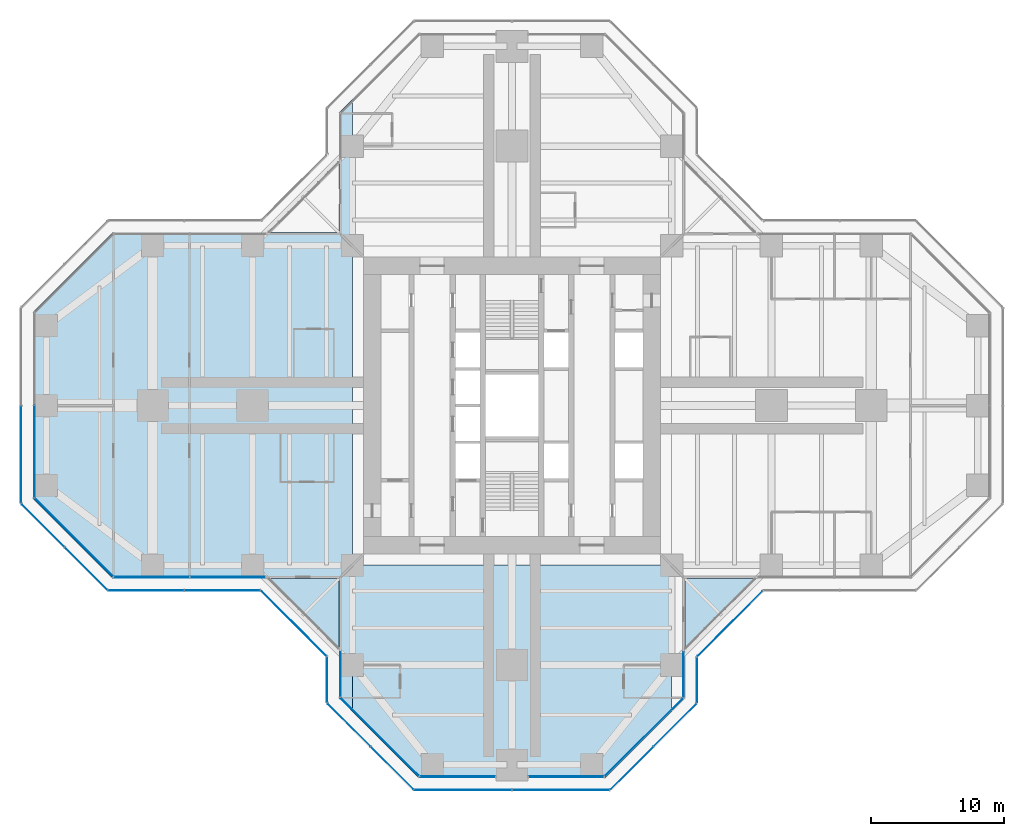
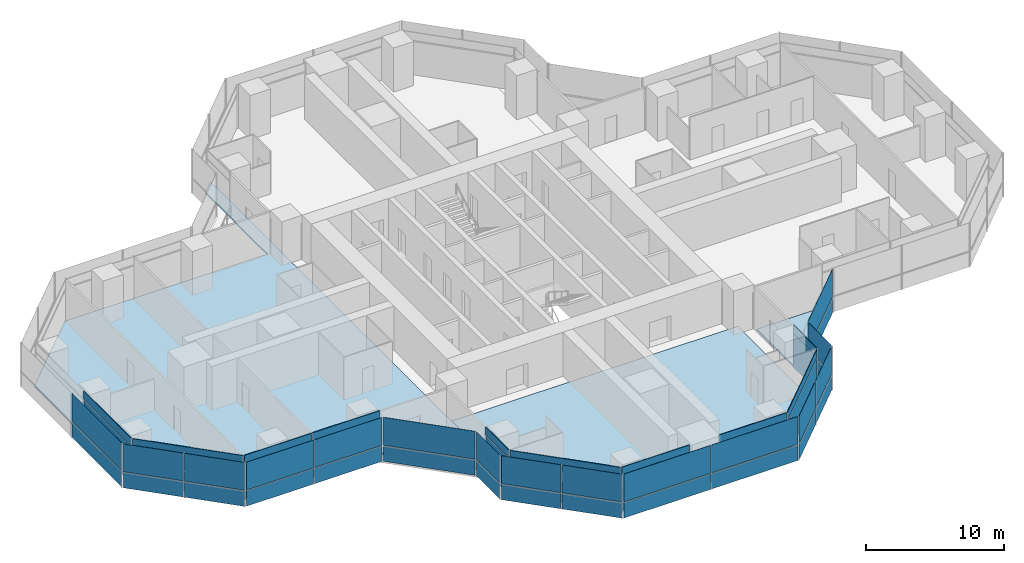
# One storey, part 12 of 20: 50 plates, 4 slabs, 19 elements without a shape of their own.
"""IFC4 building model written with IfcOpenShell, lengths in metres."""

import ifcopenshell
import ifcopenshell.guid

model = None  # the IFC model being written
_history = None  # IfcOwnerHistory: only IFC2X3 demands one
_inside = {}  # id of a spatial element -> (the spatial element, [elements in it])
_under = {}  # id of a project, library or spatial element -> (it, [spatial elements below it])
_declared = {}  # id of a project -> (the project, [libraries it declares])
_typed = {}  # id of a type object -> (the type object, [elements of that type])
_made_of = {}  # id of a material, layer set ... -> (it, [elements and type objects made of it])


def new_model(schema):
    """Start an empty IFC model of exactly this schema.

    Asked for "IFC4X3", IfcOpenShell would pick the latest addendum, in which some entities
    have other attributes; the version numbers below select the first issue.
    IFC2X3 requires an IfcOwnerHistory on every rooted entity: one is made here for all.
    """
    global model, _history
    if schema == "IFC4X3":
        model = ifcopenshell.file(schema_version=(4, 3, 0, 0))
    else:
        model = ifcopenshell.file(schema=schema)
    _inside.clear()
    _under.clear()
    _declared.clear()
    _typed.clear()
    _made_of.clear()
    _history = None
    if model.schema == "IFC2X3":
        org = make("IfcOrganization", Name="unknown")
        user = make(
            "IfcPersonAndOrganization",
            ThePerson=make("IfcPerson", FamilyName="unknown"),
            TheOrganization=org,
        )
        app = make(
            "IfcApplication",
            ApplicationDeveloper=org,
            Version="unknown",
            ApplicationFullName="unknown",
            ApplicationIdentifier="unknown",
        )
        _history = make(
            "IfcOwnerHistory",
            OwningUser=user,
            OwningApplication=app,
            ChangeAction="ADDED",
            CreationDate=0,
        )
    return model


def make(cls, **values):
    """One entity of the class cls with the attributes given. An attribute that is None is left unset."""
    return model.create_entity(
        cls, **{name: value for name, value in values.items() if value is not None}
    )


def rooted(cls, **values):
    """An entity with a GlobalId (a new one), such as an element, a storey or a relation."""
    return make(cls, GlobalId=ifcopenshell.guid.new(), OwnerHistory=_history, **values)


def si_unit(unit_type, name, prefix=None):
    """IfcSIUnit, for example si_unit("LENGTHUNIT", "METRE", prefix="MILLI")."""
    return make("IfcSIUnit", UnitType=unit_type, Prefix=prefix, Name=name)


def assignment(units):
    """IfcUnitAssignment: the units of a project."""
    return None if units is None else make("IfcUnitAssignment", Units=units)


def point(xyz):
    """IfcCartesianPoint."""
    return None if xyz is None else make("IfcCartesianPoint", Coordinates=xyz)


def direction(xyz):
    """IfcDirection."""
    return None if xyz is None else make("IfcDirection", DirectionRatios=xyz)


def frame(location, z_axis=None, x_axis=None):
    """IfcAxis2Placement3D, a coordinate frame: its origin and axes. An axis left out is left unset."""
    return make(
        "IfcAxis2Placement3D",
        Location=point(location),
        Axis=direction(z_axis),
        RefDirection=direction(x_axis),
    )


def frame_2d(location, x_axis=None):
    """IfcAxis2Placement2D, a coordinate frame in the plane: its origin and x axis."""
    return make(
        "IfcAxis2Placement2D", Location=point(location), RefDirection=direction(x_axis)
    )


def origin():
    """The frame at (0, 0, 0) with its axes left unset."""
    return frame((0.0, 0.0, 0.0))


def origin_2d():
    """The frame at (0, 0) in the plane with its x axis left unset."""
    return frame_2d((0.0, 0.0))


def place(relative_to, where):
    """IfcLocalPlacement: puts the frame where relative to a parent placement (None: the world)."""
    return make(
        "IfcLocalPlacement", PlacementRelTo=relative_to, RelativePlacement=where
    )


def context(
    kind, dimensions, precision=None, world=None, true_north=None, identifier=None
):
    """IfcGeometricRepresentationContext, for example the 3D "Model" context."""
    return make(
        "IfcGeometricRepresentationContext",
        ContextIdentifier=identifier,
        ContextType=kind,
        CoordinateSpaceDimension=dimensions,
        Precision=precision,
        WorldCoordinateSystem=world,
        TrueNorth=true_north,
    )


def subcontext(parent, identifier, kind, view, scale=None):
    """IfcGeometricRepresentationSubContext, for example "Body" below "Model"."""
    return make(
        "IfcGeometricRepresentationSubContext",
        ContextIdentifier=identifier,
        ContextType=kind,
        ParentContext=parent,
        TargetScale=scale,
        TargetView=view,
    )


def project(units=None, contexts=None):
    """IfcProject with its units and contexts."""
    return rooted(
        "IfcProject",
        Name="project",
        RepresentationContexts=contexts,
        UnitsInContext=assignment(units),
    )


def spatial(cls, under=None, at=None, **own):
    """A site, building, storey or space (cls), placed at a placement, below another one or the project."""
    s = rooted(cls, ObjectPlacement=at, **own)
    if under is not None:
        _under.setdefault(under.id(), (under, []))[1].append(s)
    return s


def polyline(points):
    """IfcPolyline through the points."""
    return make("IfcPolyline", Points=[point(p) for p in points])


def profile(cls, at=None, kind="AREA", **sizes):
    """A parametric profile (cls). Its sizes go by their IFC names, for example OverallWidth=200.0."""
    return make(cls, ProfileType=kind, Position=at, **sizes)


def rectangle(**sizes):
    """IfcRectangleProfileDef."""
    return profile("IfcRectangleProfileDef", **sizes)


def outline(outer, holes=None, kind="AREA"):
    """IfcArbitraryClosedProfileDef: a profile drawn as a closed curve; with holes, ...WithVoids."""
    if holes is None:
        return make("IfcArbitraryClosedProfileDef", ProfileType=kind, OuterCurve=outer)
    return make(
        "IfcArbitraryProfileDefWithVoids",
        ProfileType=kind,
        OuterCurve=outer,
        InnerCurves=holes,
    )


def extrude(swept, where, along, depth):
    """IfcExtrudedAreaSolid: the profile swept, set in the frame where, extruded along a direction by depth."""
    return make(
        "IfcExtrudedAreaSolid",
        SweptArea=swept,
        Position=where,
        ExtrudedDirection=direction(along),
        Depth=depth,
    )


def shape(context_of_items, identifier, shape_type, items):
    """IfcShapeRepresentation: the items that make up one representation, for example the "Body"."""
    return make(
        "IfcShapeRepresentation",
        ContextOfItems=context_of_items,
        RepresentationIdentifier=identifier,
        RepresentationType=shape_type,
        Items=items,
    )


def material(Name=None, Category=None):
    """IfcMaterial."""
    return make("IfcMaterial", Name=Name, Category=Category)


def layer(
    of_material, thickness, ventilated=None, Name=None, Category=None, Priority=None
):
    """IfcMaterialLayer: one layer of a wall or slab, of a material (None: an air gap)."""
    return make(
        "IfcMaterialLayer",
        Material=of_material,
        LayerThickness=thickness,
        IsVentilated=ventilated,
        Name=Name,
        Category=Category,
        Priority=Priority,
    )


def layer_set(layers, Name=None):
    """IfcMaterialLayerSet."""
    return make("IfcMaterialLayerSet", MaterialLayers=layers, LayerSetName=Name)


def made_of(thing, what):
    """Note that an element or type object is made of a material, layer set ...; save() writes the relation."""
    if what is not None:
        _made_of.setdefault(what.id(), (what, []))[1].append(thing)
    return thing


def type_object(cls, material=None, **own):
    """A type object (cls), such as IfcWallType, which elements share."""
    return made_of(rooted(cls, **own), material)


def element(
    cls,
    number,
    at=None,
    inside=None,
    cuts=None,
    type_object=None,
    material=None,
    context=None,
    identifier="Body",
    shape_type=None,
    held_by="IfcProductDefinitionShape",
    body=None,
    shapes=None,
    **own,
):
    """One element of the class cls, such as IfcWall. Its Tag is "e" and its number.

    at: its placement. inside: the storey or other place that contains it. cuts: it is an
    opening in that element (IfcRelVoidsElement). A single representation is given by context,
    identifier, shape_type and body (its items); several are given by shapes. held_by: the class
    of the entity that holds the representations. save() writes the other relations.
    """
    e = rooted(cls, Tag="e%d" % number, ObjectPlacement=at, **own)
    if body is not None:
        shapes = [shape(context, identifier, shape_type, body)]
    if shapes is not None:
        e.Representation = make(held_by, Representations=shapes)
    if inside is not None:
        _inside.setdefault(inside.id(), (inside, []))[1].append(e)
    if cuts is not None:
        rooted(
            "IfcRelVoidsElement", RelatingBuildingElement=cuts, RelatedOpeningElement=e
        )
    if type_object is not None:
        _typed.setdefault(type_object.id(), (type_object, []))[1].append(e)
    return made_of(e, material)


def aggregate(whole, parts):
    """IfcRelAggregates: a whole, such as a stair, and the parts it consists of."""
    return rooted("IfcRelAggregates", RelatingObject=whole, RelatedObjects=parts)


def save(model, path):
    """Write the relations noted so far, then the file.

    IfcRelAggregates (storeys below a building ...), IfcRelContainedInSpatialStructure (elements
    in a storey), IfcRelDefinesByType, IfcRelAssociatesMaterial and IfcRelDeclares: one each for
    every whole, place, type object, material and project.
    """
    for whole, parts in _under.values():
        aggregate(whole, parts)
    for where, things in _inside.values():
        rooted(
            "IfcRelContainedInSpatialStructure",
            RelatedElements=things,
            RelatingStructure=where,
        )
    for kind, things in _typed.values():
        rooted("IfcRelDefinesByType", RelatedObjects=things, RelatingType=kind)
    for what, things in _made_of.values():
        rooted("IfcRelAssociatesMaterial", RelatedObjects=things, RelatingMaterial=what)
    for by, libraries in _declared.values():
        rooted("IfcRelDeclares", RelatingContext=by, RelatedDefinitions=libraries)
    model.write(path)


model = new_model("IFC4")

# Units and contexts
model_context = context("Model", 3, precision=1e-05, world=origin(), true_north=direction((0.0, 1.0)))
body_context = subcontext(model_context, "Body", "Model", "MODEL_VIEW")
ifc_project = project(units=[si_unit("LENGTHUNIT", "METRE"), si_unit("AREAUNIT", "SQUARE_METRE"), si_unit("VOLUMEUNIT", "CUBIC_METRE"), si_unit("PLANEANGLEUNIT", "RADIAN"), si_unit("MASSUNIT", "GRAM", prefix="KILO")], contexts=[model_context])

# Site, building, storey
site_placement = place(None, origin())
site = spatial("IfcSite", under=ifc_project, at=site_placement, CompositionType="ELEMENT")
building_placement = place(site_placement, origin())
building = spatial("IfcBuilding", under=site, at=building_placement, Name="Mizan Broadcast Tower", CompositionType="ELEMENT")
storey_placement = place(building_placement, frame((0.0, 0.0, 155.39990234375)))
storey = spatial("IfcBuildingStorey", under=building, at=storey_placement, Name="L35", CompositionType="ELEMENT", Elevation=155.39990234375)

# Slabs
ifc_material_1 = material(Name="Concrete C32/40", Category="concrete")
ifc_layer_1 = layer(ifc_material_1, 0.1298828125)
ifc_layer_set_1 = layer_set([ifc_layer_1], Name="Concrete C32/40")
slab_type_1 = type_object("IfcSlabType", Name="COMPOSITE DECK SLAB 130", PredefinedType="FLOOR", material=ifc_layer_set_1)
slab_1_placement = place(storey_placement, frame((0.0, 0.0, -0.1298828125)))
element("IfcSlab", 1, at=slab_1_placement, inside=storey, type_object=slab_type_1, Name="Floor slab L35 west arm", PredefinedType="FLOOR", context=body_context, shape_type="SweptSolid", body=[
    extrude(outline(polyline([(-13.0, -22.0), (-12.0, -23.0), (-12.0, 23.0), (-13.0, 22.0), (-13.0, 13.0), (-30.0, 13.0), (-36.0, 7.0), (-36.0, -7.0), (-30.0, -13.0), (-13.0, -13.0), (-13.0, -22.0)])), origin(), (0.0, 0.0, 1.0), 0.1298828125),
])
slab_2_placement = place(storey_placement, frame((0.0, 0.0, -0.1298828125)))
element("IfcSlab", 2, at=slab_2_placement, inside=storey, type_object=slab_type_1, Name="Floor slab L35 south arm", PredefinedType="FLOOR", context=body_context, shape_type="SweptSolid", body=[
    extrude(outline(polyline([(7.0, -28.0), (12.0, -23.0), (12.0, -12.0), (-12.0, -12.0), (-12.0, -23.0), (-7.0, -28.0), (7.0, -28.0)])), origin(), (0.0, 0.0, 1.0), 0.1298828125),
])

# Curtain wall, plate
ifc_material_2 = material(Name="Aluminium framed glazing", Category="aluminium")
curtain_wall_type_1 = type_object("IfcCurtainWallType", Name="INNER SKIN MID ZONE", PredefinedType="USERDEFINED", material=ifc_material_2)
curtain_wall_1_placement = place(storey_placement, origin())
curtain_wall_1 = element("IfcCurtainWall", 3, at=curtain_wall_1_placement, inside=storey, type_object=curtain_wall_type_1, Name="Inner skin mid zone L35 W end", ObjectType="INNER SKIN MID ZONE", PredefinedType="USERDEFINED")
ifc_material_3 = material(Name="Double glazing, clear low-e", Category="glass")
ifc_layer_2 = layer(ifc_material_3, 0.028076171875)
ifc_layer_set_2 = layer_set([ifc_layer_2], Name="Double glazing, clear low-e")
plate_type_1 = type_object("IfcPlateType", Name="INNER SKIN GLAZING UNIT", PredefinedType="CURTAIN_PANEL", material=ifc_layer_set_2)
plate_1_placement = place(storey_placement, frame((-35.89990234375, -3.46435546875, 0.0), z_axis=(0.0, 0.0, 1.0), x_axis=(0.0, -1.0, 0.0)))
plate_1 = element("IfcPlate", 4, at=plate_1_placement, type_object=plate_type_1, Name="Inner skin mid zone L35 W end panel 2.1", PredefinedType="CURTAIN_PANEL", context=body_context, shape_type="SweptSolid", body=[
    extrude(rectangle(XDim=6.86865234375, YDim=0.028076171875, at=origin_2d()), origin(), (0.0, 0.0, 1.0), 3.0),
])

curtain_wall_2_placement = place(storey_placement, origin())
curtain_wall_2 = element("IfcCurtainWall", 5, at=curtain_wall_2_placement, inside=storey, type_object=curtain_wall_type_1, Name="Inner skin mid zone L35 W chamfer", ObjectType="INNER SKIN MID ZONE", PredefinedType="USERDEFINED")
plate_2_placement = place(storey_placement, frame((-32.92919921875, -9.92919921875, 0.0), z_axis=(0.0, 0.0, 1.0), x_axis=(0.707106781187, -0.707106781187, 0.0)))
plate_2 = element("IfcPlate", 6, at=plate_2_placement, type_object=plate_type_1, Name="Inner skin mid zone L35 W chamfer panel 1.1", PredefinedType="CURTAIN_PANEL", context=body_context, shape_type="SweptSolid", body=[
    extrude(rectangle(XDim=8.282470703125, YDim=0.028076171875, at=origin_2d()), origin(), (0.0, 0.0, 1.0), 3.0),
])

# Curtain wall, plates
curtain_wall_3_placement = place(storey_placement, origin())
curtain_wall_3 = element("IfcCurtainWall", 7, at=curtain_wall_3_placement, inside=storey, type_object=curtain_wall_type_1, Name="Inner skin mid zone L35 W side", ObjectType="INNER SKIN MID ZONE", PredefinedType="USERDEFINED")
plate_3_placement = place(storey_placement, frame((-27.078857421875, -12.89990234375, 0.0), z_axis=(0.0, 0.0, 1.0), x_axis=(1.0, 0.0, 0.0)))
plate_3 = element("IfcPlate", 8, at=plate_3_placement, type_object=plate_type_1, Name="Inner skin mid zone L35 W side panel 1.1", PredefinedType="CURTAIN_PANEL", context=body_context, shape_type="SweptSolid", body=[
    extrude(rectangle(XDim=5.639404296875, YDim=0.028076171875, at=origin_2d()), origin(), (0.0, 0.0, 1.0), 3.0),
])
plate_4_placement = place(storey_placement, frame((-21.379638671875, -12.89990234375, 0.0), z_axis=(0.0, 0.0, 1.0), x_axis=(1.0, 0.0, 0.0)))
plate_4 = element("IfcPlate", 9, at=plate_4_placement, type_object=plate_type_1, Name="Inner skin mid zone L35 W side panel 2.1", PredefinedType="CURTAIN_PANEL", context=body_context, shape_type="SweptSolid", body=[
    extrude(rectangle(XDim=5.639404296875, YDim=0.028076171875, at=origin_2d()), origin(), (0.0, 0.0, 1.0), 3.0),
])

# Curtain wall, plate
curtain_wall_4_placement = place(storey_placement, origin())
curtain_wall_4 = element("IfcCurtainWall", 10, at=curtain_wall_4_placement, inside=storey, type_object=curtain_wall_type_1, Name="Inner skin mid zone L35 S side", ObjectType="INNER SKIN MID ZONE", PredefinedType="USERDEFINED")
plate_5_placement = place(storey_placement, frame((-12.89990234375, -20.229248046875, 0.0), z_axis=(0.0, 0.0, 1.0), x_axis=(0.0, -1.0, 0.0)))
plate_5 = element("IfcPlate", 11, at=plate_5_placement, type_object=plate_type_1, Name="Inner skin mid zone L35 S side panel 1.1", PredefinedType="CURTAIN_PANEL", context=body_context, shape_type="SweptSolid", body=[
    extrude(rectangle(XDim=3.338623046875, YDim=0.028076171875, at=origin_2d()), origin(), (0.0, 0.0, 1.0), 3.0),
])

curtain_wall_5_placement = place(storey_placement, origin())
curtain_wall_5 = element("IfcCurtainWall", 12, at=curtain_wall_5_placement, inside=storey, type_object=curtain_wall_type_1, Name="Inner skin mid zone L35 S chamfer", ObjectType="INNER SKIN MID ZONE", PredefinedType="USERDEFINED")
plate_6_placement = place(storey_placement, frame((-9.92919921875, -24.92919921875, 0.0), z_axis=(0.0, 0.0, 1.0), x_axis=(0.707106781187, -0.707106781187, 0.0)))
plate_6 = element("IfcPlate", 13, at=plate_6_placement, type_object=plate_type_1, Name="Inner skin mid zone L35 S chamfer panel 1.1", PredefinedType="CURTAIN_PANEL", context=body_context, shape_type="SweptSolid", body=[
    extrude(rectangle(XDim=8.282470703125, YDim=0.028076171875, at=origin_2d()), origin(), (0.0, 0.0, 1.0), 3.0),
])

curtain_wall_6_placement = place(storey_placement, origin())
curtain_wall_6 = element("IfcCurtainWall", 14, at=curtain_wall_6_placement, inside=storey, type_object=curtain_wall_type_1, Name="Inner skin mid zone L35 S end", ObjectType="INNER SKIN MID ZONE", PredefinedType="USERDEFINED")
plate_7_placement = place(storey_placement, frame((-4.079345703125, -27.89990234375, 0.0), z_axis=(0.0, 0.0, 1.0), x_axis=(1.0, 0.0, 0.0)))
plate_7 = element("IfcPlate", 15, at=plate_7_placement, type_object=plate_type_1, Name="Inner skin mid zone L35 S end panel 1.1", PredefinedType="CURTAIN_PANEL", context=body_context, shape_type="SweptSolid", body=[
    extrude(rectangle(XDim=5.638671875, YDim=0.028076171875, at=origin_2d()), origin(), (0.0, 0.0, 1.0), 3.0),
])

curtain_wall_7_placement = place(storey_placement, origin())
curtain_wall_7 = element("IfcCurtainWall", 16, at=curtain_wall_7_placement, inside=storey, type_object=curtain_wall_type_1, Name="Inner skin mid zone L35 S end", ObjectType="INNER SKIN MID ZONE", PredefinedType="USERDEFINED")
plate_8_placement = place(storey_placement, frame((4.079345703125, -27.89990234375, 0.0), z_axis=(0.0, 0.0, 1.0), x_axis=(1.0, 0.0, 0.0)))
plate_8 = element("IfcPlate", 17, at=plate_8_placement, type_object=plate_type_1, Name="Inner skin mid zone L35 S end panel 1.1", PredefinedType="CURTAIN_PANEL", context=body_context, shape_type="SweptSolid", body=[
    extrude(rectangle(XDim=5.638671875, YDim=0.028076171875, at=origin_2d()), origin(), (0.0, 0.0, 1.0), 3.0),
])

curtain_wall_8_placement = place(storey_placement, origin())
curtain_wall_8 = element("IfcCurtainWall", 18, at=curtain_wall_8_placement, inside=storey, type_object=curtain_wall_type_1, Name="Inner skin mid zone L35 S chamfer", ObjectType="INNER SKIN MID ZONE", PredefinedType="USERDEFINED")
plate_9_placement = place(storey_placement, frame((9.92919921875, -24.92919921875, 0.0), z_axis=(0.0, 0.0, 1.0), x_axis=(0.707106781187, 0.707106781187, 0.0)))
plate_9 = element("IfcPlate", 19, at=plate_9_placement, type_object=plate_type_1, Name="Inner skin mid zone L35 S chamfer panel 1.1", PredefinedType="CURTAIN_PANEL", context=body_context, shape_type="SweptSolid", body=[
    extrude(rectangle(XDim=8.282470703125, YDim=0.028076171875, at=origin_2d()), origin(), (0.0, 0.0, 1.0), 3.0),
])

curtain_wall_9_placement = place(storey_placement, origin())
curtain_wall_9 = element("IfcCurtainWall", 20, at=curtain_wall_9_placement, inside=storey, type_object=curtain_wall_type_1, Name="Inner skin mid zone L35 S side", ObjectType="INNER SKIN MID ZONE", PredefinedType="USERDEFINED")
plate_10_placement = place(storey_placement, frame((12.89990234375, -20.229248046875, 0.0), z_axis=(0.0, 0.0, 1.0), x_axis=(0.0, 1.0, 0.0)))
plate_10 = element("IfcPlate", 21, at=plate_10_placement, type_object=plate_type_1, Name="Inner skin mid zone L35 S side panel 1.1", PredefinedType="CURTAIN_PANEL", context=body_context, shape_type="SweptSolid", body=[
    extrude(rectangle(XDim=3.338623046875, YDim=0.028076171875, at=origin_2d()), origin(), (0.0, 0.0, 1.0), 3.0),
])

# Plate
ifc_material_4 = material(Name="Insulated aluminium spandrel panel, pale anodised", Category="aluminium")
ifc_layer_3 = layer(ifc_material_4, 0.050048828125)
ifc_layer_set_3 = layer_set([ifc_layer_3], Name="Insulated aluminium spandrel panel, pale anodised")
plate_type_2 = type_object("IfcPlateType", Name="INNER SKIN SPANDREL PANEL", PredefinedType="CURTAIN_PANEL", material=ifc_layer_set_3)
plate_11_placement = place(storey_placement, frame((-35.89990234375, -3.46435546875, 3.06005859375), z_axis=(0.0, 0.0, 1.0), x_axis=(0.0, -1.0, 0.0)))
plate_11 = element("IfcPlate", 22, at=plate_11_placement, type_object=plate_type_2, Name="Inner skin mid zone L35 W end panel 2.2", PredefinedType="CURTAIN_PANEL", context=body_context, shape_type="SweptSolid", body=[
    extrude(rectangle(XDim=6.86865234375, YDim=0.050048828125, at=origin_2d()), origin(), (0.0, 0.0, 1.0), 0.7099609375),
])

aggregate(curtain_wall_1, [plate_1, plate_11])

plate_12_placement = place(storey_placement, frame((-32.92919921875, -9.92919921875, 3.06005859375), z_axis=(0.0, 0.0, 1.0), x_axis=(0.707106781187, -0.707106781187, 0.0)))
plate_12 = element("IfcPlate", 23, at=plate_12_placement, type_object=plate_type_2, Name="Inner skin mid zone L35 W chamfer panel 1.2", PredefinedType="CURTAIN_PANEL", context=body_context, shape_type="SweptSolid", body=[
    extrude(rectangle(XDim=8.282470703125, YDim=0.050048828125, at=origin_2d()), origin(), (0.0, 0.0, 1.0), 0.7099609375),
])

aggregate(curtain_wall_2, [plate_2, plate_12])

plate_13_placement = place(storey_placement, frame((-27.078857421875, -12.89990234375, 3.06005859375), z_axis=(0.0, 0.0, 1.0), x_axis=(1.0, 0.0, 0.0)))
plate_13 = element("IfcPlate", 24, at=plate_13_placement, type_object=plate_type_2, Name="Inner skin mid zone L35 W side panel 1.2", PredefinedType="CURTAIN_PANEL", context=body_context, shape_type="SweptSolid", body=[
    extrude(rectangle(XDim=5.639404296875, YDim=0.050048828125, at=origin_2d()), origin(), (0.0, 0.0, 1.0), 0.7099609375),
])

plate_14_placement = place(storey_placement, frame((-21.379638671875, -12.89990234375, 3.06005859375), z_axis=(0.0, 0.0, 1.0), x_axis=(1.0, 0.0, 0.0)))
plate_14 = element("IfcPlate", 25, at=plate_14_placement, type_object=plate_type_2, Name="Inner skin mid zone L35 W side panel 2.2", PredefinedType="CURTAIN_PANEL", context=body_context, shape_type="SweptSolid", body=[
    extrude(rectangle(XDim=5.639404296875, YDim=0.050048828125, at=origin_2d()), origin(), (0.0, 0.0, 1.0), 0.7099609375),
])

aggregate(curtain_wall_3, [plate_3, plate_13, plate_4, plate_14])

plate_15_placement = place(storey_placement, frame((-12.89990234375, -20.229248046875, 3.06005859375), z_axis=(0.0, 0.0, 1.0), x_axis=(0.0, -1.0, 0.0)))
plate_15 = element("IfcPlate", 26, at=plate_15_placement, type_object=plate_type_2, Name="Inner skin mid zone L35 S side panel 1.2", PredefinedType="CURTAIN_PANEL", context=body_context, shape_type="SweptSolid", body=[
    extrude(rectangle(XDim=3.338623046875, YDim=0.050048828125, at=origin_2d()), origin(), (0.0, 0.0, 1.0), 0.7099609375),
])

aggregate(curtain_wall_4, [plate_5, plate_15])

plate_16_placement = place(storey_placement, frame((-9.92919921875, -24.92919921875, 3.06005859375), z_axis=(0.0, 0.0, 1.0), x_axis=(0.707106781187, -0.707106781187, 0.0)))
plate_16 = element("IfcPlate", 27, at=plate_16_placement, type_object=plate_type_2, Name="Inner skin mid zone L35 S chamfer panel 1.2", PredefinedType="CURTAIN_PANEL", context=body_context, shape_type="SweptSolid", body=[
    extrude(rectangle(XDim=8.282470703125, YDim=0.050048828125, at=origin_2d()), origin(), (0.0, 0.0, 1.0), 0.7099609375),
])

aggregate(curtain_wall_5, [plate_6, plate_16])

plate_17_placement = place(storey_placement, frame((-4.079345703125, -27.89990234375, 3.06005859375), z_axis=(0.0, 0.0, 1.0), x_axis=(1.0, 0.0, 0.0)))
plate_17 = element("IfcPlate", 28, at=plate_17_placement, type_object=plate_type_2, Name="Inner skin mid zone L35 S end panel 1.2", PredefinedType="CURTAIN_PANEL", context=body_context, shape_type="SweptSolid", body=[
    extrude(rectangle(XDim=5.638671875, YDim=0.050048828125, at=origin_2d()), origin(), (0.0, 0.0, 1.0), 0.7099609375),
])

aggregate(curtain_wall_6, [plate_7, plate_17])

plate_18_placement = place(storey_placement, frame((4.079345703125, -27.89990234375, 3.06005859375), z_axis=(0.0, 0.0, 1.0), x_axis=(1.0, 0.0, 0.0)))
plate_18 = element("IfcPlate", 29, at=plate_18_placement, type_object=plate_type_2, Name="Inner skin mid zone L35 S end panel 1.2", PredefinedType="CURTAIN_PANEL", context=body_context, shape_type="SweptSolid", body=[
    extrude(rectangle(XDim=5.638671875, YDim=0.050048828125, at=origin_2d()), origin(), (0.0, 0.0, 1.0), 0.7099609375),
])

aggregate(curtain_wall_7, [plate_8, plate_18])

plate_19_placement = place(storey_placement, frame((9.92919921875, -24.92919921875, 3.06005859375), z_axis=(0.0, 0.0, 1.0), x_axis=(0.707106781187, 0.707106781187, 0.0)))
plate_19 = element("IfcPlate", 30, at=plate_19_placement, type_object=plate_type_2, Name="Inner skin mid zone L35 S chamfer panel 1.2", PredefinedType="CURTAIN_PANEL", context=body_context, shape_type="SweptSolid", body=[
    extrude(rectangle(XDim=8.282470703125, YDim=0.050048828125, at=origin_2d()), origin(), (0.0, 0.0, 1.0), 0.7099609375),
])

aggregate(curtain_wall_8, [plate_9, plate_19])

plate_20_placement = place(storey_placement, frame((12.89990234375, -20.229248046875, 3.06005859375), z_axis=(0.0, 0.0, 1.0), x_axis=(0.0, 1.0, 0.0)))
plate_20 = element("IfcPlate", 31, at=plate_20_placement, type_object=plate_type_2, Name="Inner skin mid zone L35 S side panel 1.2", PredefinedType="CURTAIN_PANEL", context=body_context, shape_type="SweptSolid", body=[
    extrude(rectangle(XDim=3.338623046875, YDim=0.050048828125, at=origin_2d()), origin(), (0.0, 0.0, 1.0), 0.7099609375),
])

aggregate(curtain_wall_9, [plate_10, plate_20])

# Curtain wall, plates
ifc_material_5 = material(Name="Aluminium framed glazing", Category="aluminium")
curtain_wall_type_2 = type_object("IfcCurtainWallType", Name="OUTER SKIN", PredefinedType="USERDEFINED", material=ifc_material_5)
curtain_wall_10_placement = place(storey_placement, origin())
curtain_wall_10 = element("IfcCurtainWall", 32, at=curtain_wall_10_placement, inside=storey, type_object=curtain_wall_type_2, Name="Outer skin L35 W chamfer", ObjectType="OUTER SKIN", PredefinedType="USERDEFINED")
ifc_material_6 = material(Name="Laminated clear glass", Category="glass")
ifc_layer_4 = layer(ifc_material_6, 0.02001953125)
ifc_layer_set_4 = layer_set([ifc_layer_4], Name="Laminated clear glass")
plate_type_3 = type_object("IfcPlateType", Name="OUTER SKIN CLEAR GLASS", PredefinedType="CURTAIN_PANEL", material=ifc_layer_set_4)
plate_21_placement = place(storey_placement, frame((-35.254150390625, -9.018798828125, 0.0), z_axis=(0.0, 0.0, 1.0), x_axis=(0.707106781187, -0.707106781187, 0.0)))
plate_21 = element("IfcPlate", 33, at=plate_21_placement, type_object=plate_type_3, Name="Outer skin L35 W chamfer panel 1.1", PredefinedType="CURTAIN_PANEL", context=body_context, shape_type="SweptSolid", body=[
    extrude(rectangle(XDim=4.495361328125, YDim=0.02001953125, at=origin_2d()), origin(), (0.0, 0.0, 1.0), 1.3701171875),
])
plate_22_placement = place(storey_placement, frame((-35.254150390625, -9.018798828125, 1.43017578125), z_axis=(0.0, 0.0, 1.0), x_axis=(0.707106781187, -0.707106781187, 0.0)))
plate_22 = element("IfcPlate", 34, at=plate_22_placement, type_object=plate_type_3, Name="Outer skin L35 W chamfer panel 1.2", PredefinedType="CURTAIN_PANEL", context=body_context, shape_type="SweptSolid", body=[
    extrude(rectangle(XDim=4.495361328125, YDim=0.02001953125, at=origin_2d()), origin(), (0.0, 0.0, 1.0), 2.469970703125),
])

curtain_wall_11_placement = place(storey_placement, origin())
curtain_wall_11 = element("IfcCurtainWall", 35, at=curtain_wall_11_placement, inside=storey, type_object=curtain_wall_type_2, Name="Outer skin L35 W side", ObjectType="OUTER SKIN", PredefinedType="USERDEFINED")
plate_23_placement = place(storey_placement, frame((-27.477783203125, -13.89990234375, 0.0), z_axis=(0.0, 0.0, 1.0), x_axis=(1.0, 0.0, 0.0)))
plate_23 = element("IfcPlate", 36, at=plate_23_placement, type_object=plate_type_3, Name="Outer skin L35 W side panel 1.1", PredefinedType="CURTAIN_PANEL", context=body_context, shape_type="SweptSolid", body=[
    extrude(rectangle(XDim=5.6298828125, YDim=0.02001953125, at=origin_2d()), origin(), (0.0, 0.0, 1.0), 1.3701171875),
])
plate_24_placement = place(storey_placement, frame((-27.477783203125, -13.89990234375, 1.43017578125), z_axis=(0.0, 0.0, 1.0), x_axis=(1.0, 0.0, 0.0)))
plate_24 = element("IfcPlate", 37, at=plate_24_placement, type_object=plate_type_3, Name="Outer skin L35 W side panel 1.2", PredefinedType="CURTAIN_PANEL", context=body_context, shape_type="SweptSolid", body=[
    extrude(rectangle(XDim=5.6298828125, YDim=0.02001953125, at=origin_2d()), origin(), (0.0, 0.0, 1.0), 2.469970703125),
])

curtain_wall_12_placement = place(storey_placement, origin())
curtain_wall_12 = element("IfcCurtainWall", 38, at=curtain_wall_12_placement, inside=storey, type_object=curtain_wall_type_2, Name="Outer skin L35 W chamfer", ObjectType="OUTER SKIN", PredefinedType="USERDEFINED")
plate_25_placement = place(storey_placement, frame((-16.386474609375, -16.386474609375, 0.0), z_axis=(0.0, 0.0, 1.0), x_axis=(0.707106781187, -0.707106781187, 0.0)))
plate_25 = element("IfcPlate", 39, at=plate_25_placement, type_object=plate_type_3, Name="Outer skin L35 W chamfer panel 1.1", PredefinedType="CURTAIN_PANEL", context=body_context, shape_type="SweptSolid", body=[
    extrude(rectangle(XDim=6.87255859375, YDim=0.02001953125, at=origin_2d()), origin(), (0.0, 0.0, 1.0), 1.3701171875),
])
plate_26_placement = place(storey_placement, frame((-16.386474609375, -16.386474609375, 1.43017578125), z_axis=(0.0, 0.0, 1.0), x_axis=(0.707106781187, -0.707106781187, 0.0)))
plate_26 = element("IfcPlate", 40, at=plate_26_placement, type_object=plate_type_3, Name="Outer skin L35 W chamfer panel 1.2", PredefinedType="CURTAIN_PANEL", context=body_context, shape_type="SweptSolid", body=[
    extrude(rectangle(XDim=6.87255859375, YDim=0.02001953125, at=origin_2d()), origin(), (0.0, 0.0, 1.0), 2.469970703125),
])
aggregate(curtain_wall_12, [plate_25, plate_26])

curtain_wall_13_placement = place(storey_placement, origin())
curtain_wall_13 = element("IfcCurtainWall", 41, at=curtain_wall_13_placement, inside=storey, type_object=curtain_wall_type_2, Name="Outer skin L35 S side", ObjectType="OUTER SKIN", PredefinedType="USERDEFINED")
plate_27_placement = place(storey_placement, frame((-13.89990234375, -20.622802734375, 0.0), z_axis=(0.0, 0.0, 1.0), x_axis=(0.0, -1.0, 0.0)))
plate_27 = element("IfcPlate", 42, at=plate_27_placement, type_object=plate_type_3, Name="Outer skin L35 S side panel 1.1", PredefinedType="CURTAIN_PANEL", context=body_context, shape_type="SweptSolid", body=[
    extrude(rectangle(XDim=3.340087890625, YDim=0.02001953125, at=origin_2d()), origin(), (0.0, 0.0, 1.0), 1.3701171875),
])
plate_28_placement = place(storey_placement, frame((-13.89990234375, -20.622802734375, 1.43017578125), z_axis=(0.0, 0.0, 1.0), x_axis=(0.0, -1.0, 0.0)))
plate_28 = element("IfcPlate", 43, at=plate_28_placement, type_object=plate_type_3, Name="Outer skin L35 S side panel 1.2", PredefinedType="CURTAIN_PANEL", context=body_context, shape_type="SweptSolid", body=[
    extrude(rectangle(XDim=3.340087890625, YDim=0.02001953125, at=origin_2d()), origin(), (0.0, 0.0, 1.0), 2.469970703125),
])
aggregate(curtain_wall_13, [plate_27, plate_28])

curtain_wall_14_placement = place(storey_placement, origin())
curtain_wall_14 = element("IfcCurtainWall", 44, at=curtain_wall_14_placement, inside=storey, type_object=curtain_wall_type_2, Name="Outer skin L35 S chamfer", ObjectType="OUTER SKIN", PredefinedType="USERDEFINED")
plate_29_placement = place(storey_placement, frame((-12.254150390625, -24.018798828125, 0.0), z_axis=(0.0, 0.0, 1.0), x_axis=(0.707106781187, -0.707106781187, 0.0)))
plate_29 = element("IfcPlate", 45, at=plate_29_placement, type_object=plate_type_3, Name="Outer skin L35 S chamfer panel 1.1", PredefinedType="CURTAIN_PANEL", context=body_context, shape_type="SweptSolid", body=[
    extrude(rectangle(XDim=4.495361328125, YDim=0.02001953125, at=origin_2d()), origin(), (0.0, 0.0, 1.0), 1.3701171875),
])
plate_30_placement = place(storey_placement, frame((-12.254150390625, -24.018798828125, 1.43017578125), z_axis=(0.0, 0.0, 1.0), x_axis=(0.707106781187, -0.707106781187, 0.0)))
plate_30 = element("IfcPlate", 46, at=plate_30_placement, type_object=plate_type_3, Name="Outer skin L35 S chamfer panel 1.2", PredefinedType="CURTAIN_PANEL", context=body_context, shape_type="SweptSolid", body=[
    extrude(rectangle(XDim=4.495361328125, YDim=0.02001953125, at=origin_2d()), origin(), (0.0, 0.0, 1.0), 2.469970703125),
])

curtain_wall_15_placement = place(storey_placement, origin())
curtain_wall_15 = element("IfcCurtainWall", 47, at=curtain_wall_15_placement, inside=storey, type_object=curtain_wall_type_2, Name="Outer skin L35 S end", ObjectType="OUTER SKIN", PredefinedType="USERDEFINED")
plate_31_placement = place(storey_placement, frame((-3.66650390625, -28.89990234375, 0.0), z_axis=(0.0, 0.0, 1.0), x_axis=(1.0, 0.0, 0.0)))
plate_31 = element("IfcPlate", 48, at=plate_31_placement, type_object=plate_type_3, Name="Outer skin L35 S end panel 1.1", PredefinedType="CURTAIN_PANEL", context=body_context, shape_type="SweptSolid", body=[
    extrude(rectangle(XDim=7.252685546875, YDim=0.02001953125, at=origin_2d()), origin(), (0.0, 0.0, 1.0), 1.3701171875),
])
plate_32_placement = place(storey_placement, frame((-3.66650390625, -28.89990234375, 1.43017578125), z_axis=(0.0, 0.0, 1.0), x_axis=(1.0, 0.0, 0.0)))
plate_32 = element("IfcPlate", 49, at=plate_32_placement, type_object=plate_type_3, Name="Outer skin L35 S end panel 1.2", PredefinedType="CURTAIN_PANEL", context=body_context, shape_type="SweptSolid", body=[
    extrude(rectangle(XDim=7.252685546875, YDim=0.02001953125, at=origin_2d()), origin(), (0.0, 0.0, 1.0), 2.469970703125),
])

curtain_wall_16_placement = place(storey_placement, origin())
curtain_wall_16 = element("IfcCurtainWall", 50, at=curtain_wall_16_placement, inside=storey, type_object=curtain_wall_type_2, Name="Outer skin L35 S chamfer", ObjectType="OUTER SKIN", PredefinedType="USERDEFINED")
plate_33_placement = place(storey_placement, frame((9.018798828125, -27.254150390625, 0.0), z_axis=(0.0, 0.0, 1.0), x_axis=(0.707106781187, 0.707106781187, 0.0)))
plate_33 = element("IfcPlate", 51, at=plate_33_placement, type_object=plate_type_3, Name="Outer skin L35 S chamfer panel 1.1", PredefinedType="CURTAIN_PANEL", context=body_context, shape_type="SweptSolid", body=[
    extrude(rectangle(XDim=4.495361328125, YDim=0.02001953125, at=origin_2d()), origin(), (0.0, 0.0, 1.0), 1.3701171875),
])
plate_34_placement = place(storey_placement, frame((9.018798828125, -27.254150390625, 1.43017578125), z_axis=(0.0, 0.0, 1.0), x_axis=(0.707106781187, 0.707106781187, 0.0)))
plate_34 = element("IfcPlate", 52, at=plate_34_placement, type_object=plate_type_3, Name="Outer skin L35 S chamfer panel 1.2", PredefinedType="CURTAIN_PANEL", context=body_context, shape_type="SweptSolid", body=[
    extrude(rectangle(XDim=4.495361328125, YDim=0.02001953125, at=origin_2d()), origin(), (0.0, 0.0, 1.0), 2.469970703125),
])

curtain_wall_17_placement = place(storey_placement, origin())
curtain_wall_17 = element("IfcCurtainWall", 53, at=curtain_wall_17_placement, inside=storey, type_object=curtain_wall_type_2, Name="Outer skin L35 S side", ObjectType="OUTER SKIN", PredefinedType="USERDEFINED")
plate_35_placement = place(storey_placement, frame((13.89990234375, -20.622802734375, 0.0), z_axis=(0.0, 0.0, 1.0), x_axis=(0.0, 1.0, 0.0)))
plate_35 = element("IfcPlate", 54, at=plate_35_placement, type_object=plate_type_3, Name="Outer skin L35 S side panel 1.1", PredefinedType="CURTAIN_PANEL", context=body_context, shape_type="SweptSolid", body=[
    extrude(rectangle(XDim=3.340087890625, YDim=0.02001953125, at=origin_2d()), origin(), (0.0, 0.0, 1.0), 1.3701171875),
])
plate_36_placement = place(storey_placement, frame((13.89990234375, -20.622802734375, 1.43017578125), z_axis=(0.0, 0.0, 1.0), x_axis=(0.0, 1.0, 0.0)))
plate_36 = element("IfcPlate", 55, at=plate_36_placement, type_object=plate_type_3, Name="Outer skin L35 S side panel 1.2", PredefinedType="CURTAIN_PANEL", context=body_context, shape_type="SweptSolid", body=[
    extrude(rectangle(XDim=3.340087890625, YDim=0.02001953125, at=origin_2d()), origin(), (0.0, 0.0, 1.0), 2.469970703125),
])
aggregate(curtain_wall_17, [plate_35, plate_36])

curtain_wall_18_placement = place(storey_placement, origin())
curtain_wall_18 = element("IfcCurtainWall", 56, at=curtain_wall_18_placement, inside=storey, type_object=curtain_wall_type_2, Name="Outer skin L35 E chamfer", ObjectType="OUTER SKIN", PredefinedType="USERDEFINED")
plate_37_placement = place(storey_placement, frame((16.386474609375, -16.386474609375, 0.0), z_axis=(0.0, 0.0, 1.0), x_axis=(0.707106781187, 0.707106781187, 0.0)))
plate_37 = element("IfcPlate", 57, at=plate_37_placement, type_object=plate_type_3, Name="Outer skin L35 E chamfer panel 1.1", PredefinedType="CURTAIN_PANEL", context=body_context, shape_type="SweptSolid", body=[
    extrude(rectangle(XDim=6.87255859375, YDim=0.02001953125, at=origin_2d()), origin(), (0.0, 0.0, 1.0), 1.3701171875),
])
plate_38_placement = place(storey_placement, frame((16.386474609375, -16.386474609375, 1.43017578125), z_axis=(0.0, 0.0, 1.0), x_axis=(0.707106781187, 0.707106781187, 0.0)))
plate_38 = element("IfcPlate", 58, at=plate_38_placement, type_object=plate_type_3, Name="Outer skin L35 E chamfer panel 1.2", PredefinedType="CURTAIN_PANEL", context=body_context, shape_type="SweptSolid", body=[
    extrude(rectangle(XDim=6.87255859375, YDim=0.02001953125, at=origin_2d()), origin(), (0.0, 0.0, 1.0), 2.469970703125),
])
aggregate(curtain_wall_18, [plate_37, plate_38])

curtain_wall_19_placement = place(storey_placement, origin())
curtain_wall_19 = element("IfcCurtainWall", 59, at=curtain_wall_19_placement, inside=storey, type_object=curtain_wall_type_2, Name="Outer skin L35 W end", ObjectType="OUTER SKIN", PredefinedType="USERDEFINED")
ifc_material_7 = material(Name="Perforated aluminium, pale anodised", Category="aluminium")
ifc_layer_5 = layer(ifc_material_7, 0.011962890625)
ifc_layer_set_5 = layer_set([ifc_layer_5], Name="Perforated aluminium, pale anodised")
plate_type_4 = type_object("IfcPlateType", Name="OUTER SKIN PERFORATED SCREEN", PredefinedType="USERDEFINED", material=ifc_layer_set_5)
plate_39_placement = place(storey_placement, frame((-36.89990234375, -3.66650390625, 0.0), z_axis=(0.0, 0.0, 1.0), x_axis=(0.0, -1.0, 0.0)))
plate_39 = element("IfcPlate", 60, at=plate_39_placement, type_object=plate_type_4, Name="Outer skin L35 W end panel 2.1", ObjectType="SCREEN", PredefinedType="USERDEFINED", context=body_context, shape_type="SweptSolid", body=[
    extrude(rectangle(XDim=7.252685546875, YDim=0.011962890625, at=origin_2d()), origin(), (0.0, 0.0, 1.0), 1.3701171875),
])
plate_40_placement = place(storey_placement, frame((-36.89990234375, -3.66650390625, 1.43017578125), z_axis=(0.0, 0.0, 1.0), x_axis=(0.0, -1.0, 0.0)))
plate_40 = element("IfcPlate", 61, at=plate_40_placement, type_object=plate_type_4, Name="Outer skin L35 W end panel 2.2", ObjectType="SCREEN", PredefinedType="USERDEFINED", context=body_context, shape_type="SweptSolid", body=[
    extrude(rectangle(XDim=7.252685546875, YDim=0.011962890625, at=origin_2d()), origin(), (0.0, 0.0, 1.0), 2.469970703125),
])
aggregate(curtain_wall_19, [plate_39, plate_40])

# Plate
plate_41_placement = place(storey_placement, frame((-32.018798828125, -12.254150390625, 0.0), z_axis=(0.0, 0.0, 1.0), x_axis=(0.707106781187, -0.707106781187, 0.0)))
plate_41 = element("IfcPlate", 62, at=plate_41_placement, type_object=plate_type_4, Name="Outer skin L35 W chamfer panel 2.1", ObjectType="SCREEN", PredefinedType="USERDEFINED", context=body_context, shape_type="SweptSolid", body=[
    extrude(rectangle(XDim=4.495361328125, YDim=0.011962890625, at=origin_2d()), origin(), (0.0, 0.0, 1.0), 1.3701171875),
])

plate_42_placement = place(storey_placement, frame((-32.018798828125, -12.254150390625, 1.43017578125), z_axis=(0.0, 0.0, 1.0), x_axis=(0.707106781187, -0.707106781187, 0.0)))
plate_42 = element("IfcPlate", 63, at=plate_42_placement, type_object=plate_type_4, Name="Outer skin L35 W chamfer panel 2.2", ObjectType="SCREEN", PredefinedType="USERDEFINED", context=body_context, shape_type="SweptSolid", body=[
    extrude(rectangle(XDim=4.495361328125, YDim=0.011962890625, at=origin_2d()), origin(), (0.0, 0.0, 1.0), 2.469970703125),
])

aggregate(curtain_wall_10, [plate_21, plate_22, plate_41, plate_42])

plate_43_placement = place(storey_placement, frame((-21.767822265625, -13.89990234375, 0.0), z_axis=(0.0, 0.0, 1.0), x_axis=(1.0, 0.0, 0.0)))
plate_43 = element("IfcPlate", 64, at=plate_43_placement, type_object=plate_type_4, Name="Outer skin L35 W side panel 2.1", ObjectType="SCREEN", PredefinedType="USERDEFINED", context=body_context, shape_type="SweptSolid", body=[
    extrude(rectangle(XDim=5.6298828125, YDim=0.011962890625, at=origin_2d()), origin(), (0.0, 0.0, 1.0), 1.3701171875),
])

plate_44_placement = place(storey_placement, frame((-21.767822265625, -13.89990234375, 1.43017578125), z_axis=(0.0, 0.0, 1.0), x_axis=(1.0, 0.0, 0.0)))
plate_44 = element("IfcPlate", 65, at=plate_44_placement, type_object=plate_type_4, Name="Outer skin L35 W side panel 2.2", ObjectType="SCREEN", PredefinedType="USERDEFINED", context=body_context, shape_type="SweptSolid", body=[
    extrude(rectangle(XDim=5.6298828125, YDim=0.011962890625, at=origin_2d()), origin(), (0.0, 0.0, 1.0), 2.469970703125),
])

aggregate(curtain_wall_11, [plate_23, plate_24, plate_43, plate_44])

plate_45_placement = place(storey_placement, frame((-9.018798828125, -27.254150390625, 0.0), z_axis=(0.0, 0.0, 1.0), x_axis=(0.707106781187, -0.707106781187, 0.0)))
plate_45 = element("IfcPlate", 66, at=plate_45_placement, type_object=plate_type_4, Name="Outer skin L35 S chamfer panel 2.1", ObjectType="SCREEN", PredefinedType="USERDEFINED", context=body_context, shape_type="SweptSolid", body=[
    extrude(rectangle(XDim=4.495361328125, YDim=0.011962890625, at=origin_2d()), origin(), (0.0, 0.0, 1.0), 1.3701171875),
])

plate_46_placement = place(storey_placement, frame((-9.018798828125, -27.254150390625, 1.43017578125), z_axis=(0.0, 0.0, 1.0), x_axis=(0.707106781187, -0.707106781187, 0.0)))
plate_46 = element("IfcPlate", 67, at=plate_46_placement, type_object=plate_type_4, Name="Outer skin L35 S chamfer panel 2.2", ObjectType="SCREEN", PredefinedType="USERDEFINED", context=body_context, shape_type="SweptSolid", body=[
    extrude(rectangle(XDim=4.495361328125, YDim=0.011962890625, at=origin_2d()), origin(), (0.0, 0.0, 1.0), 2.469970703125),
])

aggregate(curtain_wall_14, [plate_29, plate_30, plate_45, plate_46])

plate_47_placement = place(storey_placement, frame((3.66650390625, -28.89990234375, 0.0), z_axis=(0.0, 0.0, 1.0), x_axis=(1.0, 0.0, 0.0)))
plate_47 = element("IfcPlate", 68, at=plate_47_placement, type_object=plate_type_4, Name="Outer skin L35 S end panel 2.1", ObjectType="SCREEN", PredefinedType="USERDEFINED", context=body_context, shape_type="SweptSolid", body=[
    extrude(rectangle(XDim=7.252685546875, YDim=0.011962890625, at=origin_2d()), origin(), (0.0, 0.0, 1.0), 1.3701171875),
])

plate_48_placement = place(storey_placement, frame((3.66650390625, -28.89990234375, 1.43017578125), z_axis=(0.0, 0.0, 1.0), x_axis=(1.0, 0.0, 0.0)))
plate_48 = element("IfcPlate", 69, at=plate_48_placement, type_object=plate_type_4, Name="Outer skin L35 S end panel 2.2", ObjectType="SCREEN", PredefinedType="USERDEFINED", context=body_context, shape_type="SweptSolid", body=[
    extrude(rectangle(XDim=7.252685546875, YDim=0.011962890625, at=origin_2d()), origin(), (0.0, 0.0, 1.0), 2.469970703125),
])

aggregate(curtain_wall_15, [plate_31, plate_32, plate_47, plate_48])

plate_49_placement = place(storey_placement, frame((12.254150390625, -24.018798828125, 0.0), z_axis=(0.0, 0.0, 1.0), x_axis=(0.707106781187, 0.707106781187, 0.0)))
plate_49 = element("IfcPlate", 70, at=plate_49_placement, type_object=plate_type_4, Name="Outer skin L35 S chamfer panel 2.1", ObjectType="SCREEN", PredefinedType="USERDEFINED", context=body_context, shape_type="SweptSolid", body=[
    extrude(rectangle(XDim=4.495361328125, YDim=0.011962890625, at=origin_2d()), origin(), (0.0, 0.0, 1.0), 1.3701171875),
])

plate_50_placement = place(storey_placement, frame((12.254150390625, -24.018798828125, 1.43017578125), z_axis=(0.0, 0.0, 1.0), x_axis=(0.707106781187, 0.707106781187, 0.0)))
plate_50 = element("IfcPlate", 71, at=plate_50_placement, type_object=plate_type_4, Name="Outer skin L35 S chamfer panel 2.2", ObjectType="SCREEN", PredefinedType="USERDEFINED", context=body_context, shape_type="SweptSolid", body=[
    extrude(rectangle(XDim=4.495361328125, YDim=0.011962890625, at=origin_2d()), origin(), (0.0, 0.0, 1.0), 2.469970703125),
])

aggregate(curtain_wall_16, [plate_33, plate_34, plate_49, plate_50])

# Slabs
ifc_material_8 = material(Name="Concrete C32/40", Category="concrete")
ifc_layer_6 = layer(ifc_material_8, 0.1298828125)
ifc_layer_set_6 = layer_set([ifc_layer_6], Name="Concrete C32/40")
slab_type_2 = type_object("IfcSlabType", Name="WINTER GARDEN SLAB 130", PredefinedType="FLOOR", material=ifc_layer_set_6)
slab_3_placement = place(storey_placement, frame((0.0, 0.0, -0.1298828125)))
element("IfcSlab", 72, at=slab_3_placement, inside=storey, type_object=slab_type_2, Name="Winter garden slab L35 W", PredefinedType="FLOOR", context=body_context, shape_type="SweptSolid", body=[
    extrude(outline(polyline([(-13.0, -13.0), (-18.5, -13.0), (-13.0, -18.5), (-13.0, -13.0)])), origin(), (0.0, 0.0, 1.0), 0.1298828125),
])
slab_4_placement = place(storey_placement, frame((0.0, 0.0, -0.1298828125)))
element("IfcSlab", 73, at=slab_4_placement, inside=storey, type_object=slab_type_2, Name="Winter garden slab L35 S", PredefinedType="FLOOR", context=body_context, shape_type="SweptSolid", body=[
    extrude(outline(polyline([(13.0, -13.0), (13.0, -18.5), (18.5, -13.0), (13.0, -13.0)])), origin(), (0.0, 0.0, 1.0), 0.1298828125),
])

save(model, "model.ifc")
